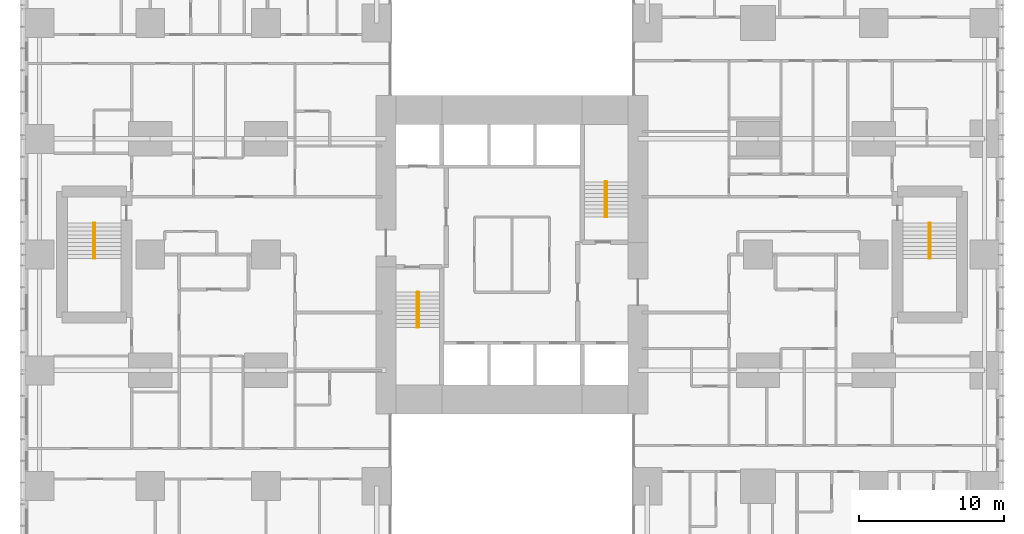
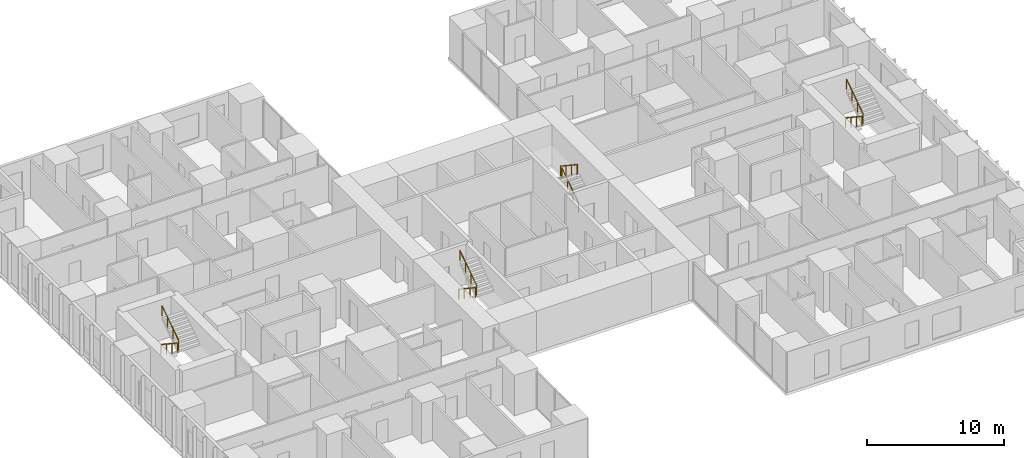
# One storey, part 21 of 21: 8 railings.
"""IFC4 building model written with IfcOpenShell, lengths in metres."""

from ifc_helpers import new_model, si_unit, direction, frame, origin, origin_2d, place, context, subcontext, project, spatial, circle, extrude, material, type_object, element, save


model = new_model("IFC4")

# Units and contexts
model_context = context("Model", 3, precision=1e-05, world=origin(), true_north=direction((0.0, 1.0)))
body_context = subcontext(model_context, "Body", "Model", "MODEL_VIEW")
ifc_project = project(units=[si_unit("LENGTHUNIT", "METRE"), si_unit("AREAUNIT", "SQUARE_METRE"), si_unit("VOLUMEUNIT", "CUBIC_METRE"), si_unit("PLANEANGLEUNIT", "RADIAN"), si_unit("MASSUNIT", "GRAM", prefix="KILO")], contexts=[model_context])

# Site, building, storey
site_placement = place(None, origin())
site = spatial("IfcSite", under=ifc_project, at=site_placement, CompositionType="ELEMENT")
building_placement = place(site_placement, origin())
building = spatial("IfcBuilding", under=site, at=building_placement, Name="Cleftline Residences", CompositionType="ELEMENT")
storey_placement = place(building_placement, frame((0.0, 0.0, 125.0)))
storey = spatial("IfcBuildingStorey", under=building, at=storey_placement, Name="L32", CompositionType="ELEMENT", Elevation=125.0)

# Railings
ifc_material = material(Name="Stainless steel", Category="steel")
railing_type = type_object("IfcRailingType", Name="HANDRAIL 900", PredefinedType="HANDRAIL", material=ifc_material)
railing_1_placement = place(storey_placement, frame((26.449951171875, 21.39990234375, 0.179931640625)))
element("IfcRailing", 1, at=railing_1_placement, inside=storey, type_object=railing_type, Name="Stair handrail", PredefinedType="HANDRAIL", context=body_context, shape_type="SweptSolid", body=[
    extrude(circle(Radius=0.02392578125, at=origin_2d()), frame((0.0, 0.0, 0.8759765625), z_axis=(0.0, -0.832024571796, 0.554738778101), x_axis=(1.0, 0.0, 0.0)), (0.0, 0.0, 1.0), 2.92041015625),
    extrude(circle(Radius=0.02099609375, at=origin_2d()), origin(), (0.0, 0.0, 1.0), 0.851806640625),
    extrude(circle(Radius=0.02099609375, at=origin_2d()), frame((0.0, -0.81005859375, 0.5400390625)), (0.0, 0.0, 1.0), 0.851806640625),
    extrude(circle(Radius=0.02099609375, at=origin_2d()), frame((0.0, -1.619873046875, 1.080078125)), (0.0, 0.0, 1.0), 0.851806640625),
    extrude(circle(Radius=0.02099609375, at=origin_2d()), frame((0.0, -2.429931640625, 1.6201171875)), (0.0, 0.0, 1.0), 0.851806640625),
])
for number, where, name in (
    (2, (26.550048828125, 18.969970703125, 1.97998046875), "Stair handrail"),
    (3, (39.550048828125, 26.60009765625, 0.179931640625), "Stair handrail"),
):
    element("IfcRailing", number, at=place(storey_placement, frame(where)), inside=storey, type_object=railing_type, Name=name, PredefinedType="HANDRAIL", context=body_context, shape_type="SweptSolid", body=[
        extrude(circle(Radius=0.02392578125, at=origin_2d()), frame((0.0, 0.0, 0.8759765625), z_axis=(0.0, 0.832024571796, 0.554738778101), x_axis=(-1.0, 0.0, 0.0)), (0.0, 0.0, 1.0), 2.92041015625),
        extrude(circle(Radius=0.02099609375, at=origin_2d()), origin(), (0.0, 0.0, 1.0), 0.851806640625),
        extrude(circle(Radius=0.02099609375, at=origin_2d()), frame((0.0, 0.81005859375, 0.5400390625)), (0.0, 0.0, 1.0), 0.851806640625),
        extrude(circle(Radius=0.02099609375, at=origin_2d()), frame((0.0, 1.619873046875, 1.080078125)), (0.0, 0.0, 1.0), 0.851806640625),
        extrude(circle(Radius=0.02099609375, at=origin_2d()), frame((0.0, 2.429931640625, 1.6201171875)), (0.0, 0.0, 1.0), 0.851806640625),
    ])
for number, where, name in (
    (4, (39.449951171875, 29.030029296875, 1.97998046875), "Stair handrail"),
    (5, (61.824951171875, 26.175048828125, 0.179931640625), "Stair handrail"),
):
    element("IfcRailing", number, at=place(storey_placement, frame(where)), inside=storey, type_object=railing_type, Name=name, PredefinedType="HANDRAIL", context=body_context, shape_type="SweptSolid", body=[
        extrude(circle(Radius=0.02392578125, at=origin_2d()), frame((0.0, 0.0, 0.8759765625), z_axis=(0.0, -0.832024571796, 0.554738778101), x_axis=(1.0, 0.0, 0.0)), (0.0, 0.0, 1.0), 2.92041015625),
        extrude(circle(Radius=0.02099609375, at=origin_2d()), origin(), (0.0, 0.0, 1.0), 0.851806640625),
        extrude(circle(Radius=0.02099609375, at=origin_2d()), frame((0.0, -0.81005859375, 0.5400390625)), (0.0, 0.0, 1.0), 0.851806640625),
        extrude(circle(Radius=0.02099609375, at=origin_2d()), frame((0.0, -1.619873046875, 1.080078125)), (0.0, 0.0, 1.0), 0.851806640625),
        extrude(circle(Radius=0.02099609375, at=origin_2d()), frame((0.0, -2.429931640625, 1.6201171875)), (0.0, 0.0, 1.0), 0.851806640625),
    ])
railing_2_placement = place(storey_placement, frame((61.925048828125, 23.7451171875, 1.97998046875)))
element("IfcRailing", 6, at=railing_2_placement, inside=storey, type_object=railing_type, Name="Stair handrail", PredefinedType="HANDRAIL", context=body_context, shape_type="SweptSolid", body=[
    extrude(circle(Radius=0.02392578125, at=origin_2d()), frame((0.0, 0.0, 0.8759765625), z_axis=(0.0, 0.832024571796, 0.554738778101), x_axis=(-1.0, 0.0, 0.0)), (0.0, 0.0, 1.0), 2.92041015625),
    extrude(circle(Radius=0.02099609375, at=origin_2d()), origin(), (0.0, 0.0, 1.0), 0.851806640625),
    extrude(circle(Radius=0.02099609375, at=origin_2d()), frame((0.0, 0.81005859375, 0.5400390625)), (0.0, 0.0, 1.0), 0.851806640625),
    extrude(circle(Radius=0.02099609375, at=origin_2d()), frame((0.0, 1.619873046875, 1.080078125)), (0.0, 0.0, 1.0), 0.851806640625),
    extrude(circle(Radius=0.02099609375, at=origin_2d()), frame((0.0, 2.429931640625, 1.6201171875)), (0.0, 0.0, 1.0), 0.851806640625),
])
railing_3_placement = place(storey_placement, frame((4.074951171875, 26.175048828125, 0.179931640625)))
element("IfcRailing", 7, at=railing_3_placement, inside=storey, type_object=railing_type, Name="Stair handrail", PredefinedType="HANDRAIL", context=body_context, shape_type="SweptSolid", body=[
    extrude(circle(Radius=0.02392578125, at=origin_2d()), frame((0.0, 0.0, 0.8759765625), z_axis=(0.0, -0.832024571796, 0.554738778101), x_axis=(1.0, 0.0, 0.0)), (0.0, 0.0, 1.0), 2.92041015625),
    extrude(circle(Radius=0.02099609375, at=origin_2d()), origin(), (0.0, 0.0, 1.0), 0.851806640625),
    extrude(circle(Radius=0.02099609375, at=origin_2d()), frame((0.0, -0.81005859375, 0.5400390625)), (0.0, 0.0, 1.0), 0.851806640625),
    extrude(circle(Radius=0.02099609375, at=origin_2d()), frame((0.0, -1.619873046875, 1.080078125)), (0.0, 0.0, 1.0), 0.851806640625),
    extrude(circle(Radius=0.02099609375, at=origin_2d()), frame((0.0, -2.429931640625, 1.6201171875)), (0.0, 0.0, 1.0), 0.851806640625),
])
railing_4_placement = place(storey_placement, frame((4.175048828125, 23.7451171875, 1.97998046875)))
element("IfcRailing", 8, at=railing_4_placement, inside=storey, type_object=railing_type, Name="Stair handrail", PredefinedType="HANDRAIL", context=body_context, shape_type="SweptSolid", body=[
    extrude(circle(Radius=0.02392578125, at=origin_2d()), frame((0.0, 0.0, 0.8759765625), z_axis=(0.0, 0.832024571796, 0.554738778101), x_axis=(-1.0, 0.0, 0.0)), (0.0, 0.0, 1.0), 2.92041015625),
    extrude(circle(Radius=0.02099609375, at=origin_2d()), origin(), (0.0, 0.0, 1.0), 0.851806640625),
    extrude(circle(Radius=0.02099609375, at=origin_2d()), frame((0.0, 0.81005859375, 0.5400390625)), (0.0, 0.0, 1.0), 0.851806640625),
    extrude(circle(Radius=0.02099609375, at=origin_2d()), frame((0.0, 1.619873046875, 1.080078125)), (0.0, 0.0, 1.0), 0.851806640625),
    extrude(circle(Radius=0.02099609375, at=origin_2d()), frame((0.0, 2.429931640625, 1.6201171875)), (0.0, 0.0, 1.0), 0.851806640625),
])

save(model, "model.ifc")
